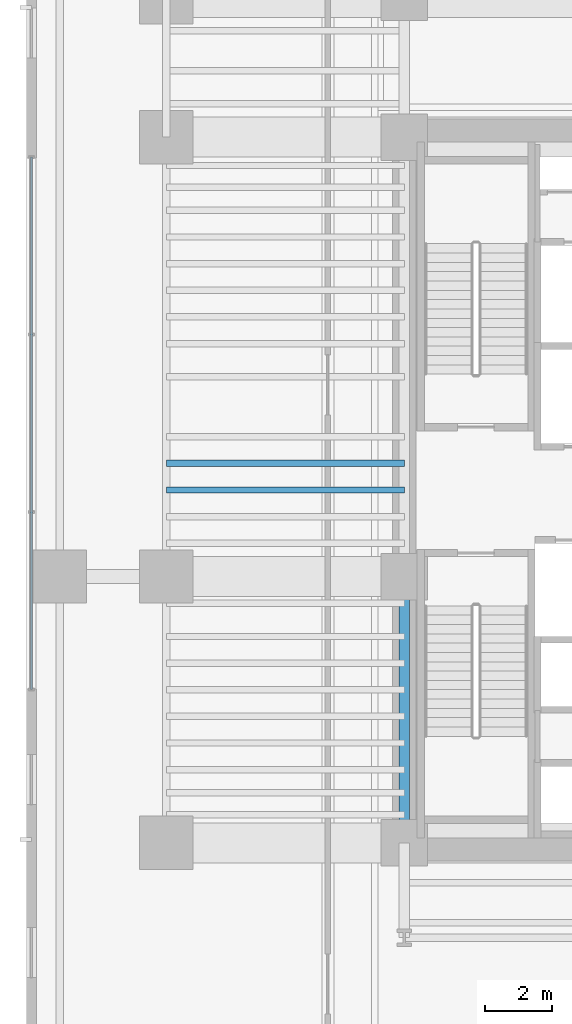
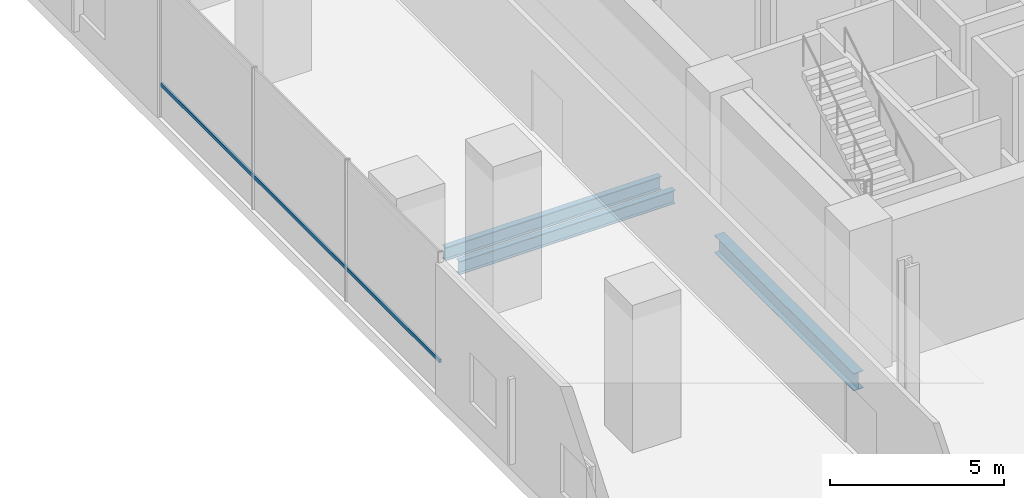
# One storey, part 5 of 41: 3 beams, 1 member, 1 element without a shape of its own.
"""IFC4 building model written with IfcOpenShell, lengths in metres."""

from ifc_helpers import new_model, si_unit, direction, frame, origin, origin_2d, place, context, subcontext, project, spatial, hollow_rectangle, i_section, extrude, source, transform, mapped, material, material_profile, profile_set, type_object, element, aggregate, save


model = new_model("IFC4")

# Units and contexts
model_context = context("Model", 3, precision=1e-05, world=origin(), true_north=direction((0.0, 1.0)))
body_context = subcontext(model_context, "Body", "Model", "MODEL_VIEW")
ifc_project = project(units=[si_unit("LENGTHUNIT", "METRE"), si_unit("AREAUNIT", "SQUARE_METRE"), si_unit("VOLUMEUNIT", "CUBIC_METRE"), si_unit("PLANEANGLEUNIT", "RADIAN"), si_unit("MASSUNIT", "GRAM", prefix="KILO")], contexts=[model_context])

# Site, building, storey
site_placement = place(None, origin())
site = spatial("IfcSite", under=ifc_project, at=site_placement, CompositionType="ELEMENT")
building_placement = place(site_placement, origin())
building = spatial("IfcBuilding", under=site, at=building_placement, Name="Valdorenza Pilgrim Sanctuary Tower", CompositionType="ELEMENT")
storey_placement = place(building_placement, frame((0.0, 0.0, 20.800048828125)))
storey = spatial("IfcBuildingStorey", under=building, at=storey_placement, Name="L04", CompositionType="ELEMENT", Elevation=20.800048828125)

# Beams
ifc_material_1 = material(Name="Steel ASTM A992 Grade 50", Category="steel")
ifc_material_profile_1 = material_profile(ifc_material_1, i_section(OverallWidth=0.323974609375, OverallDepth=0.611083984375, WebThickness=0.0126953125, FlangeThickness=0.01904296875, at=origin_2d()), Name="W24X104")
ifc_profile_set_1 = profile_set([ifc_material_profile_1], Name="Steel ASTM A992 Grade 50")
beam_type_1 = type_object("IfcBeamType", Name="STR-BM-GRD-W24B", PredefinedType="BEAM", material=ifc_profile_set_1)
shared_shape_1 = source(origin(), body_context, "Body", "SweptSolid", [
    extrude(i_section(OverallWidth=0.323974609375, OverallDepth=0.611083984375, WebThickness=0.0126953125, FlangeThickness=0.01904296875, at=origin_2d()), origin(), (0.0, 0.0, 1.0), 8.0),
])
beam_placement = place(storey_placement, frame((-22.64990234375, -10.60009765625, -0.70556640625), z_axis=(0.0, 1.0, 0.0), x_axis=(-1.0, 0.0, 0.0)))
element("IfcBeam", 1, at=beam_placement, inside=storey, type_object=beam_type_1, Name="L04 Core Tie Girder CA-W-S1M0", PredefinedType="BEAM", context=body_context, shape_type="MappedRepresentation", body=[
    mapped(shared_shape_1, transform((0.0, 0.0, 0.0), x_axis=(1.0, 0.0, 0.0), y_axis=(0.0, 1.0, 0.0), z_axis=(0.0, 0.0, 1.0), scale=1.0)),
])
ifc_material_profile_2 = material_profile(ifc_material_1, i_section(OverallWidth=0.193115234375, OverallDepth=0.466064453125, WebThickness=0.011474609375, FlangeThickness=0.01904296875, at=origin_2d()), Name="W18X65")
ifc_profile_set_2 = profile_set([ifc_material_profile_2], Name="Steel ASTM A992 Grade 50")
beam_type_2 = type_object("IfcBeamType", Name="STR-BM-JST-W18A", PredefinedType="JOIST", material=ifc_profile_set_2)
shared_shape_2 = source(origin(), body_context, "Body", "SweptSolid", [
    extrude(i_section(OverallWidth=0.193115234375, OverallDepth=0.466064453125, WebThickness=0.011474609375, FlangeThickness=0.01904296875, at=origin_2d()), origin(), (0.0, 0.0, 1.0), 7.150146484375),
])
for number, where, z_axis, x_axis, name in (
    (2, (-29.800048828125, 0.0, -0.633056640625), (1.0, 0.0, 0.0), (0.0, 1.0, 0.0), "L04 Composite Floor Joist JST-WA-12"),
    (3, (-29.800048828125, 0.800048828125, -0.633056640625), (1.0, 0.0, 0.0), (0.0, 1.0, 0.0), "L04 Composite Floor Joist JST-WA-13"),
):
    element("IfcBeam", number, at=place(storey_placement, frame(where, z_axis=z_axis, x_axis=x_axis)), inside=storey, type_object=beam_type_2, Name=name, PredefinedType="JOIST", context=body_context, shape_type="MappedRepresentation", body=[
        mapped(shared_shape_2, transform((0.0, 0.0, 0.0), x_axis=(1.0, 0.0, 0.0), y_axis=(0.0, 1.0, 0.0), z_axis=(0.0, 0.0, 1.0), scale=1.0)),
    ])

# Curtain wall, member
ifc_material_2 = material(Name="Curtain-wall IGU glazing", Category="glass")
curtain_wall_type = type_object("IfcCurtainWallType", Name="CW-SYS-01", PredefinedType="NOTDEFINED", material=ifc_material_2)
curtain_wall_placement = place(storey_placement, origin())
curtain_wall = element("IfcCurtainWall", 4, at=curtain_wall_placement, inside=storey, type_object=curtain_wall_type, Name="L04 Curtain Wall CW-POD-L04-WW", PredefinedType="NOTDEFINED")
ifc_material_3 = material(Name="Anodised aluminium AW-6060", Category="aluminium")
ifc_material_profile_3 = material_profile(ifc_material_3, hollow_rectangle(XDim=0.06494140625, YDim=0.1298828125, WallThickness=0.00341796875, at=origin_2d()), Name="ALU-T 130x65x3.5")
ifc_profile_set_3 = profile_set([ifc_material_profile_3], Name="Anodised aluminium AW-6060")
member_type = type_object("IfcMemberType", Name="CW-TRN-01", PredefinedType="USERDEFINED", material=ifc_profile_set_3)
shared_shape_3 = source(origin(), body_context, "Body", "SweptSolid", [
    extrude(hollow_rectangle(XDim=0.06494140625, YDim=0.1298828125, WallThickness=0.00341796875, at=origin_2d()), origin(), (0.0, 0.0, 1.0), 16.0),
])
member_placement = place(storey_placement, frame((-33.85009765625, -6.0, 1.119873046875), z_axis=(0.0, 1.0, 0.0), x_axis=(-1.0, 0.0, 0.0)))
member = element("IfcMember", 5, at=member_placement, type_object=member_type, Name="CW-POD-L04-WW Transom 1", ObjectType="TRANSOM", PredefinedType="USERDEFINED", context=body_context, shape_type="MappedRepresentation", body=[
    mapped(shared_shape_3, transform((0.0, 0.0, 0.0), x_axis=(1.0, 0.0, 0.0), y_axis=(0.0, 1.0, 0.0), z_axis=(0.0, 0.0, 1.0), scale=1.0)),
])
aggregate(curtain_wall, [member])

save(model, "model.ifc")
